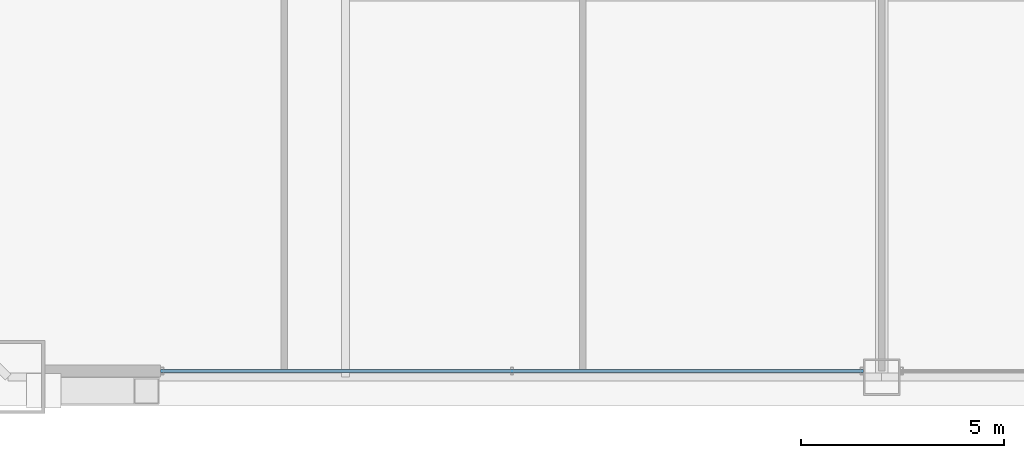
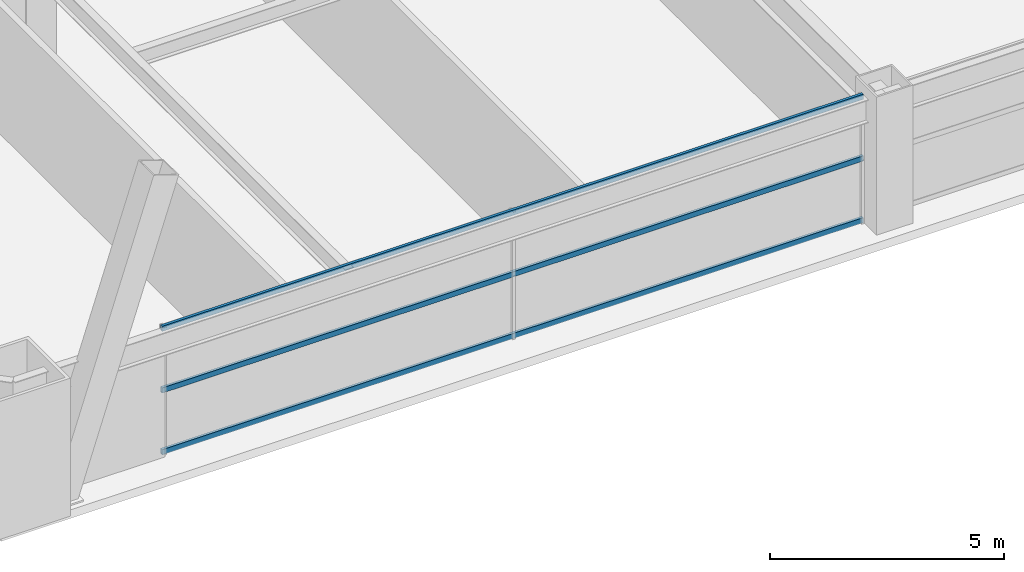
# One storey, part 6 of 43: 3 members, 1 element without a shape of its own.
"""IFC4 building model written with IfcOpenShell, lengths in metres."""

from ifc_helpers import new_model, si_unit, direction, frame, origin, origin_2d, place, context, subcontext, project, spatial, hollow_rectangle, extrude, source, transform, mapped, material, layer, layer_set, material_profile, profile_set, type_object, element, aggregate, save


model = new_model("IFC4")

# Units and contexts
model_context = context("Model", 3, precision=1e-05, world=origin(), true_north=direction((0.0, 1.0)))
body_context = subcontext(model_context, "Body", "Model", "MODEL_VIEW")
ifc_project = project(units=[si_unit("LENGTHUNIT", "METRE"), si_unit("AREAUNIT", "SQUARE_METRE"), si_unit("VOLUMEUNIT", "CUBIC_METRE"), si_unit("PLANEANGLEUNIT", "RADIAN"), si_unit("MASSUNIT", "GRAM", prefix="KILO"), si_unit("THERMODYNAMICTEMPERATUREUNIT", "KELVIN"), si_unit("POWERUNIT", "WATT")], contexts=[model_context])

# Site, building, storey
site_placement = place(None, origin())
site = spatial("IfcSite", under=ifc_project, at=site_placement, CompositionType="ELEMENT")
building_placement = place(site_placement, origin())
building = spatial("IfcBuilding", under=site, at=building_placement, Name="Yuzanri Waterfront Tower", CompositionType="ELEMENT")
storey_placement = place(building_placement, frame((0.0, 0.0, 37.800048828125)))
storey = spatial("IfcBuildingStorey", under=building, at=storey_placement, Name="L09", CompositionType="ELEMENT", Elevation=37.800048828125)

# Curtain wall, members
ifc_material_1 = material(Name="Anodized Architectural Bronze", Category="metal")
ifc_layer = layer(ifc_material_1, 0.159912109375)
ifc_layer_set = layer_set([ifc_layer], Name="Anodized Architectural Bronze")
curtain_wall_type = type_object("IfcCurtainWallType", Name="Anodized Bronze Hotel Lower-Tier Recessed Unitized Curtain Wall 8100", PredefinedType="NOTDEFINED", material=ifc_layer_set)
curtain_wall_placement = place(storey_placement, origin())
curtain_wall = element("IfcCurtainWall", 1, at=curtain_wall_placement, inside=storey, type_object=curtain_wall_type, Name="L09 Curtain Wall CW-L09-SL", PredefinedType="NOTDEFINED")
ifc_material_2 = material(Name="Anodized Architectural Bronze", Category="metal")
ifc_material_profile = material_profile(ifc_material_2, hollow_rectangle(XDim=0.070068359375, YDim=0.135009765625, WallThickness=0.00341796875, at=origin_2d()), Name="CWT 70x135")
ifc_profile_set = profile_set([ifc_material_profile], Name="Anodized Architectural Bronze")
member_type = type_object("IfcMemberType", Name="Anodized Bronze Standard Curtain-Wall Transom 70x135", PredefinedType="USERDEFINED", material=ifc_profile_set)
shared_shape = source(origin(), body_context, "Body", "SweptSolid", [
    extrude(hollow_rectangle(XDim=0.070068359375, YDim=0.135009765625, WallThickness=0.00341796875, at=origin_2d()), origin(), (0.0, 0.0, 1.0), 17.300048828125),
])
member_1_placement = place(storey_placement, frame((19.25, 0.85009765625, 0.050048828125), z_axis=(1.0, 0.0, 0.0), x_axis=(0.0, 1.0, 0.0)))
member_1 = element("IfcMember", 2, at=member_1_placement, type_object=member_type, Name="CW-L09-SL Transom 1", ObjectType="TRANSOM", PredefinedType="USERDEFINED", context=body_context, shape_type="MappedRepresentation", body=[
    mapped(shared_shape, transform((0.0, 0.0, 0.0), scale=1.0)),
])
member_2_placement = place(storey_placement, frame((19.25, 0.85009765625, 1.659912109375), z_axis=(1.0, 0.0, 0.0), x_axis=(0.0, 1.0, 0.0)))
member_2 = element("IfcMember", 3, at=member_2_placement, type_object=member_type, Name="CW-L09-SL Transom 2", ObjectType="TRANSOM", PredefinedType="USERDEFINED", context=body_context, shape_type="MappedRepresentation", body=[
    mapped(shared_shape, transform((0.0, 0.0, 0.0), scale=1.0)),
])
member_3_placement = place(storey_placement, frame((19.25, 0.85009765625, 3.27001953125), z_axis=(1.0, 0.0, 0.0), x_axis=(0.0, 1.0, 0.0)))
member_3 = element("IfcMember", 4, at=member_3_placement, type_object=member_type, Name="CW-L09-SL Transom 3", ObjectType="TRANSOM", PredefinedType="USERDEFINED", context=body_context, shape_type="MappedRepresentation", body=[
    mapped(shared_shape, transform((0.0, 0.0, 0.0), scale=1.0)),
])
aggregate(curtain_wall, [member_1, member_2, member_3])

save(model, "model.ifc")
